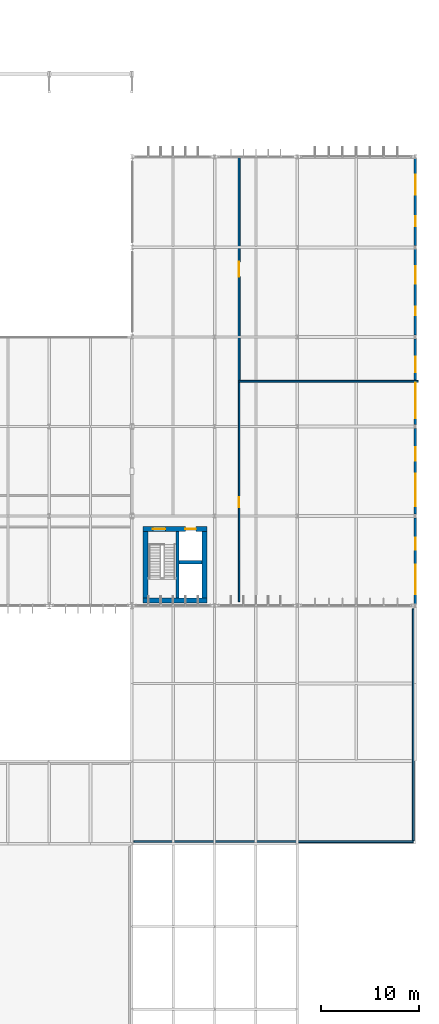
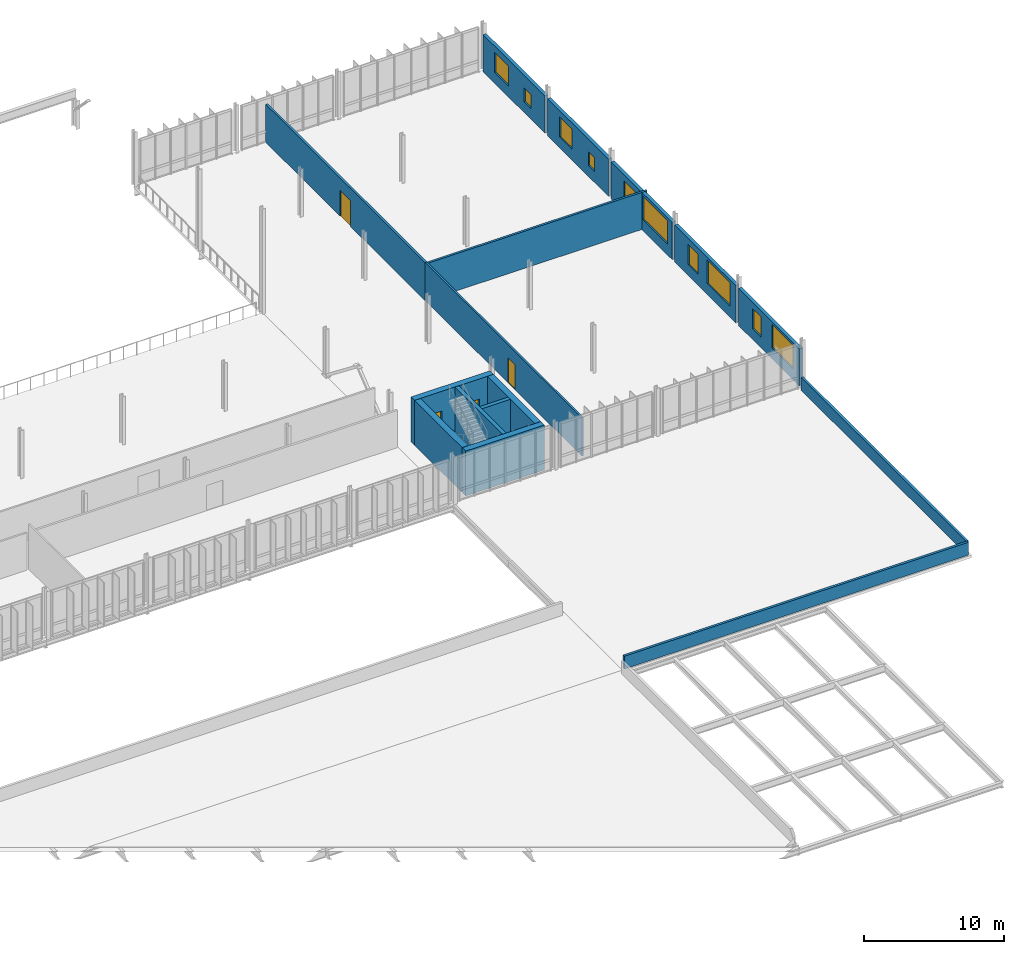
# One storey, part 92 of 107: 16 walls, 10 windows, 4 doors, 14 openings.
"""IFC4 building model written with IfcOpenShell, lengths in metres."""

import ifcopenshell
import ifcopenshell.guid

model = None  # the IFC model being written
_history = None  # IfcOwnerHistory: only IFC2X3 demands one
_inside = {}  # id of a spatial element -> (the spatial element, [elements in it])
_under = {}  # id of a project, library or spatial element -> (it, [spatial elements below it])
_declared = {}  # id of a project -> (the project, [libraries it declares])
_typed = {}  # id of a type object -> (the type object, [elements of that type])
_made_of = {}  # id of a material, layer set ... -> (it, [elements and type objects made of it])


def new_model(schema):
    """Start an empty IFC model of exactly this schema.

    Asked for "IFC4X3", IfcOpenShell would pick the latest addendum, in which some entities
    have other attributes; the version numbers below select the first issue.
    IFC2X3 requires an IfcOwnerHistory on every rooted entity: one is made here for all.
    """
    global model, _history
    if schema == "IFC4X3":
        model = ifcopenshell.file(schema_version=(4, 3, 0, 0))
    else:
        model = ifcopenshell.file(schema=schema)
    _inside.clear()
    _under.clear()
    _declared.clear()
    _typed.clear()
    _made_of.clear()
    _history = None
    if model.schema == "IFC2X3":
        org = make("IfcOrganization", Name="unknown")
        user = make(
            "IfcPersonAndOrganization",
            ThePerson=make("IfcPerson", FamilyName="unknown"),
            TheOrganization=org,
        )
        app = make(
            "IfcApplication",
            ApplicationDeveloper=org,
            Version="unknown",
            ApplicationFullName="unknown",
            ApplicationIdentifier="unknown",
        )
        _history = make(
            "IfcOwnerHistory",
            OwningUser=user,
            OwningApplication=app,
            ChangeAction="ADDED",
            CreationDate=0,
        )
    return model


def make(cls, **values):
    """One entity of the class cls with the attributes given. An attribute that is None is left unset."""
    return model.create_entity(
        cls, **{name: value for name, value in values.items() if value is not None}
    )


def rooted(cls, **values):
    """An entity with a GlobalId (a new one), such as an element, a storey or a relation."""
    return make(cls, GlobalId=ifcopenshell.guid.new(), OwnerHistory=_history, **values)


def si_unit(unit_type, name, prefix=None):
    """IfcSIUnit, for example si_unit("LENGTHUNIT", "METRE", prefix="MILLI")."""
    return make("IfcSIUnit", UnitType=unit_type, Prefix=prefix, Name=name)


def derived_unit(unit_type, elements):
    """IfcDerivedUnit: a product of units, each with its exponent."""
    return make(
        "IfcDerivedUnit",
        Elements=[
            make("IfcDerivedUnitElement", Unit=unit, Exponent=power)
            for unit, power in elements
        ],
        UnitType=unit_type,
    )


def assignment(units):
    """IfcUnitAssignment: the units of a project."""
    return None if units is None else make("IfcUnitAssignment", Units=units)


def point(xyz):
    """IfcCartesianPoint."""
    return None if xyz is None else make("IfcCartesianPoint", Coordinates=xyz)


def direction(xyz):
    """IfcDirection."""
    return None if xyz is None else make("IfcDirection", DirectionRatios=xyz)


def frame(location, z_axis=None, x_axis=None):
    """IfcAxis2Placement3D, a coordinate frame: its origin and axes. An axis left out is left unset."""
    return make(
        "IfcAxis2Placement3D",
        Location=point(location),
        Axis=direction(z_axis),
        RefDirection=direction(x_axis),
    )


def frame_2d(location, x_axis=None):
    """IfcAxis2Placement2D, a coordinate frame in the plane: its origin and x axis."""
    return make(
        "IfcAxis2Placement2D", Location=point(location), RefDirection=direction(x_axis)
    )


def origin():
    """The frame at (0, 0, 0) with its axes left unset."""
    return frame((0.0, 0.0, 0.0))


def place(relative_to, where):
    """IfcLocalPlacement: puts the frame where relative to a parent placement (None: the world)."""
    return make(
        "IfcLocalPlacement", PlacementRelTo=relative_to, RelativePlacement=where
    )


def context(
    kind, dimensions, precision=None, world=None, true_north=None, identifier=None
):
    """IfcGeometricRepresentationContext, for example the 3D "Model" context."""
    return make(
        "IfcGeometricRepresentationContext",
        ContextIdentifier=identifier,
        ContextType=kind,
        CoordinateSpaceDimension=dimensions,
        Precision=precision,
        WorldCoordinateSystem=world,
        TrueNorth=true_north,
    )


def subcontext(parent, identifier, kind, view, scale=None):
    """IfcGeometricRepresentationSubContext, for example "Body" below "Model"."""
    return make(
        "IfcGeometricRepresentationSubContext",
        ContextIdentifier=identifier,
        ContextType=kind,
        ParentContext=parent,
        TargetScale=scale,
        TargetView=view,
    )


def project(units=None, contexts=None):
    """IfcProject with its units and contexts."""
    return rooted(
        "IfcProject",
        Name="project",
        RepresentationContexts=contexts,
        UnitsInContext=assignment(units),
    )


def spatial(cls, under=None, at=None, **own):
    """A site, building, storey or space (cls), placed at a placement, below another one or the project."""
    s = rooted(cls, ObjectPlacement=at, **own)
    if under is not None:
        _under.setdefault(under.id(), (under, []))[1].append(s)
    return s


def profile(cls, at=None, kind="AREA", **sizes):
    """A parametric profile (cls). Its sizes go by their IFC names, for example OverallWidth=200.0."""
    return make(cls, ProfileType=kind, Position=at, **sizes)


def rectangle(**sizes):
    """IfcRectangleProfileDef."""
    return profile("IfcRectangleProfileDef", **sizes)


def extrude(swept, where, along, depth):
    """IfcExtrudedAreaSolid: the profile swept, set in the frame where, extruded along a direction by depth."""
    return make(
        "IfcExtrudedAreaSolid",
        SweptArea=swept,
        Position=where,
        ExtrudedDirection=direction(along),
        Depth=depth,
    )


def shape(context_of_items, identifier, shape_type, items):
    """IfcShapeRepresentation: the items that make up one representation, for example the "Body"."""
    return make(
        "IfcShapeRepresentation",
        ContextOfItems=context_of_items,
        RepresentationIdentifier=identifier,
        RepresentationType=shape_type,
        Items=items,
    )


def material(Name=None, Category=None):
    """IfcMaterial."""
    return make("IfcMaterial", Name=Name, Category=Category)


def layer(
    of_material, thickness, ventilated=None, Name=None, Category=None, Priority=None
):
    """IfcMaterialLayer: one layer of a wall or slab, of a material (None: an air gap)."""
    return make(
        "IfcMaterialLayer",
        Material=of_material,
        LayerThickness=thickness,
        IsVentilated=ventilated,
        Name=Name,
        Category=Category,
        Priority=Priority,
    )


def layer_set(layers, Name=None):
    """IfcMaterialLayerSet."""
    return make("IfcMaterialLayerSet", MaterialLayers=layers, LayerSetName=Name)


def made_of(thing, what):
    """Note that an element or type object is made of a material, layer set ...; save() writes the relation."""
    if what is not None:
        _made_of.setdefault(what.id(), (what, []))[1].append(thing)
    return thing


def type_object(cls, material=None, **own):
    """A type object (cls), such as IfcWallType, which elements share."""
    return made_of(rooted(cls, **own), material)


def element(
    cls,
    number,
    at=None,
    inside=None,
    cuts=None,
    type_object=None,
    material=None,
    context=None,
    identifier="Body",
    shape_type=None,
    held_by="IfcProductDefinitionShape",
    body=None,
    shapes=None,
    **own,
):
    """One element of the class cls, such as IfcWall. Its Tag is "e" and its number.

    at: its placement. inside: the storey or other place that contains it. cuts: it is an
    opening in that element (IfcRelVoidsElement). A single representation is given by context,
    identifier, shape_type and body (its items); several are given by shapes. held_by: the class
    of the entity that holds the representations. save() writes the other relations.
    """
    e = rooted(cls, Tag="e%d" % number, ObjectPlacement=at, **own)
    if body is not None:
        shapes = [shape(context, identifier, shape_type, body)]
    if shapes is not None:
        e.Representation = make(held_by, Representations=shapes)
    if inside is not None:
        _inside.setdefault(inside.id(), (inside, []))[1].append(e)
    if cuts is not None:
        rooted(
            "IfcRelVoidsElement", RelatingBuildingElement=cuts, RelatedOpeningElement=e
        )
    if type_object is not None:
        _typed.setdefault(type_object.id(), (type_object, []))[1].append(e)
    return made_of(e, material)


def fill(opening, filler):
    """IfcRelFillsElement: the door or window that sits in an opening."""
    return rooted(
        "IfcRelFillsElement",
        RelatingOpeningElement=opening,
        RelatedBuildingElement=filler,
    )


def aggregate(whole, parts):
    """IfcRelAggregates: a whole, such as a stair, and the parts it consists of."""
    return rooted("IfcRelAggregates", RelatingObject=whole, RelatedObjects=parts)


def save(model, path):
    """Write the relations noted so far, then the file.

    IfcRelAggregates (storeys below a building ...), IfcRelContainedInSpatialStructure (elements
    in a storey), IfcRelDefinesByType, IfcRelAssociatesMaterial and IfcRelDeclares: one each for
    every whole, place, type object, material and project.
    """
    for whole, parts in _under.values():
        aggregate(whole, parts)
    for where, things in _inside.values():
        rooted(
            "IfcRelContainedInSpatialStructure",
            RelatedElements=things,
            RelatingStructure=where,
        )
    for kind, things in _typed.values():
        rooted("IfcRelDefinesByType", RelatedObjects=things, RelatingType=kind)
    for what, things in _made_of.values():
        rooted("IfcRelAssociatesMaterial", RelatedObjects=things, RelatingMaterial=what)
    for by, libraries in _declared.values():
        rooted("IfcRelDeclares", RelatingContext=by, RelatedDefinitions=libraries)
    model.write(path)


model = new_model("IFC4")

# Units and contexts
model_context = context("Model", 3, precision=1e-05, world=origin(), true_north=direction((0.0, 1.0)))
body_context = subcontext(model_context, "Body", "Model", "MODEL_VIEW")
ifc_project = project(units=[si_unit("LENGTHUNIT", "METRE"), si_unit("AREAUNIT", "SQUARE_METRE"), si_unit("VOLUMEUNIT", "CUBIC_METRE"), si_unit("PLANEANGLEUNIT", "RADIAN"), si_unit("MASSUNIT", "GRAM", prefix="KILO"), derived_unit("THERMALTRANSMITTANCEUNIT", [(si_unit("MASSUNIT", "GRAM", prefix="KILO"), 1), (si_unit("TIMEUNIT", "SECOND"), -3), (si_unit("THERMODYNAMICTEMPERATUREUNIT", "KELVIN"), -1)])], contexts=[model_context])

# Site, building, storey
site_placement = place(None, origin())
site = spatial("IfcSite", under=ifc_project, at=site_placement, CompositionType="ELEMENT")
building_placement = place(site_placement, origin())
building = spatial("IfcBuilding", under=site, at=building_placement, Name="Makaiwela Harbour Ferry Terminal", CompositionType="ELEMENT")
storey_placement = place(building_placement, frame((0.0, 0.0, 9.60009765625)))
storey = spatial("IfcBuildingStorey", under=building, at=storey_placement, Name="L02", CompositionType="ELEMENT", Elevation=9.60009765625)

# Wall, openings, windows
ifc_material_1 = material(Name="Precast concrete f'c 40 MPa (6000 psi)", Category="concrete")
ifc_layer_1 = layer(ifc_material_1, 0.280029296875)
ifc_layer_set_1 = layer_set([ifc_layer_1], Name="Precast concrete f'c 40 MPa (6000 psi)")
wall_type_1 = type_object("IfcWallType", Name="ENV-WL-EXT280", PredefinedType="SOLIDWALL", material=ifc_layer_set_1)
wall_1_placement = place(storey_placement, frame((167.39990234375, 58.310546875, 0.0), z_axis=(0.0, 0.0, 1.0), x_axis=(0.0, -1.0, 0.0)))
wall_1 = element("IfcWall", 1, at=wall_1_placement, inside=storey, type_object=wall_type_1, Name="Exterior Wall EW-068", PredefinedType="SOLIDWALL", context=body_context, shape_type="SweptSolid", body=[
    extrude(rectangle(XDim=8.720947265625, YDim=0.280029296875, at=frame_2d((4.3603515625, 0.0))), origin(), (0.0, 0.0, 1.0), 3.241943359375),
])
opening_1_placement = place(wall_1_placement, frame((2.016357421875, 0.0, 0.949951171875)))
opening_1 = element("IfcOpeningElement", 2, at=opening_1_placement, cuts=wall_1, Name="Opening W-19", PredefinedType="OPENING", context=body_context, shape_type="SweptSolid", body=[
    extrude(rectangle(XDim=1.199951171875, YDim=1.75, at=frame_2d((0.60009765625, 0.875))), frame((0.0, 0.14990234375, 0.0), z_axis=(0.0, -1.0, 0.0), x_axis=(1.0, 0.0, 0.0)), (0.0, 0.0, 1.0), 0.300048828125),
])
opening_2_placement = place(wall_1_placement, frame((4.779052734375, 0.0, 0.949951171875)))
opening_2 = element("IfcOpeningElement", 3, at=opening_2_placement, cuts=wall_1, Name="Opening W-36", PredefinedType="OPENING", context=body_context, shape_type="SweptSolid", body=[
    extrude(rectangle(XDim=3.0, YDim=2.050048828125, at=frame_2d((1.5, 1.02490234375))), frame((0.0, 0.14990234375, 0.0), z_axis=(0.0, -1.0, 0.0), x_axis=(1.0, 0.0, 0.0)), (0.0, 0.0, 1.0), 0.300048828125),
])
ifc_material_2 = material(Name="Laminated hurricane-impact low-E insulated glazing", Category="glass")
window_type_1 = type_object("IfcWindowType", Name="ENV-WIN-19", PartitioningType="SINGLE_PANEL", PredefinedType="WINDOW", material=ifc_material_2)
window_1_placement = place(opening_1_placement, origin())
window_1 = element("IfcWindow", 4, at=window_1_placement, inside=storey, type_object=window_type_1, Name="Exterior Window W-19", OverallHeight=1.75, OverallWidth=1.199951171875, PartitioningType="SINGLE_PANEL", PredefinedType="WINDOW", context=body_context, shape_type="SweptSolid", body=[
    extrude(rectangle(XDim=1.199951171875, YDim=1.75, at=frame_2d((0.60009765625, 0.875))), frame((0.0, 0.030029296875, 0.0), z_axis=(0.0, -1.0, 0.0), x_axis=(1.0, 0.0, 0.0)), (0.0, 0.0, 1.0), 0.06005859375),
])
fill(opening_1, window_1)
window_type_2 = type_object("IfcWindowType", Name="ENV-WIN-36", PartitioningType="SINGLE_PANEL", PredefinedType="WINDOW", material=ifc_material_2)
window_2_placement = place(opening_2_placement, origin())
window_2 = element("IfcWindow", 5, at=window_2_placement, inside=storey, type_object=window_type_2, Name="Exterior Window W-36", OverallHeight=2.050048828125, OverallWidth=3.0, PartitioningType="SINGLE_PANEL", PredefinedType="WINDOW", context=body_context, shape_type="SweptSolid", body=[
    extrude(rectangle(XDim=3.0, YDim=2.050048828125, at=frame_2d((1.5, 1.02490234375))), frame((0.0, 0.030029296875, 0.0), z_axis=(0.0, -1.0, 0.0), x_axis=(1.0, 0.0, 0.0)), (0.0, 0.0, 1.0), 0.06005859375),
])
fill(opening_2, window_2)

wall_2_placement = place(storey_placement, frame((167.39990234375, 67.410400390625, 0.0), z_axis=(0.0, 0.0, 1.0), x_axis=(0.0, -1.0, 0.0)))
wall_2 = element("IfcWall", 6, at=wall_2_placement, inside=storey, type_object=wall_type_1, Name="Exterior Wall EW-070", PredefinedType="SOLIDWALL", context=body_context, shape_type="SweptSolid", body=[
    extrude(rectangle(XDim=8.720947265625, YDim=0.280029296875, at=frame_2d((4.3603515625, 0.0))), origin(), (0.0, 0.0, 1.0), 3.241943359375),
])
opening_3_placement = place(wall_2_placement, frame((1.916259765625, 0.0, 0.949951171875)))
opening_3 = element("IfcOpeningElement", 7, at=opening_3_placement, cuts=wall_2, Name="Opening W-20", PredefinedType="OPENING", context=body_context, shape_type="SweptSolid", body=[
    extrude(rectangle(XDim=1.39990234375, YDim=1.75, at=frame_2d((0.699951171875, 0.875))), frame((0.0, 0.14990234375, 0.0), z_axis=(0.0, -1.0, 0.0), x_axis=(1.0, 0.0, 0.0)), (0.0, 0.0, 1.0), 0.300048828125),
])
opening_4_placement = place(wall_2_placement, frame((4.629150390625, 0.0, 0.949951171875)))
opening_4 = element("IfcOpeningElement", 8, at=opening_4_placement, cuts=wall_2, Name="Opening W-37", PredefinedType="OPENING", context=body_context, shape_type="SweptSolid", body=[
    extrude(rectangle(XDim=3.300048828125, YDim=2.050048828125, at=frame_2d((1.64990234375, 1.02490234375))), frame((0.0, 0.14990234375, 0.0), z_axis=(0.0, -1.0, 0.0), x_axis=(1.0, 0.0, 0.0)), (0.0, 0.0, 1.0), 0.300048828125),
])
window_type_3 = type_object("IfcWindowType", Name="ENV-WIN-20", PartitioningType="SINGLE_PANEL", PredefinedType="WINDOW", material=ifc_material_2)
window_3_placement = place(opening_3_placement, origin())
window_3 = element("IfcWindow", 9, at=window_3_placement, inside=storey, type_object=window_type_3, Name="Exterior Window W-20", OverallHeight=1.75, OverallWidth=1.39990234375, PartitioningType="SINGLE_PANEL", PredefinedType="WINDOW", context=body_context, shape_type="SweptSolid", body=[
    extrude(rectangle(XDim=1.39990234375, YDim=1.75, at=frame_2d((0.699951171875, 0.875))), frame((0.0, 0.030029296875, 0.0), z_axis=(0.0, -1.0, 0.0), x_axis=(1.0, 0.0, 0.0)), (0.0, 0.0, 1.0), 0.06005859375),
])
fill(opening_3, window_3)
window_type_4 = type_object("IfcWindowType", Name="ENV-WIN-37", PartitioningType="SINGLE_PANEL", PredefinedType="WINDOW", material=ifc_material_2)
window_4_placement = place(opening_4_placement, origin())
window_4 = element("IfcWindow", 10, at=window_4_placement, inside=storey, type_object=window_type_4, Name="Exterior Window W-37", OverallHeight=2.050048828125, OverallWidth=3.300048828125, PartitioningType="SINGLE_PANEL", PredefinedType="WINDOW", context=body_context, shape_type="SweptSolid", body=[
    extrude(rectangle(XDim=3.300048828125, YDim=2.050048828125, at=frame_2d((1.64990234375, 1.02490234375))), frame((0.0, 0.030029296875, 0.0), z_axis=(0.0, -1.0, 0.0), x_axis=(1.0, 0.0, 0.0)), (0.0, 0.0, 1.0), 0.06005859375),
])
fill(opening_4, window_4)

wall_3_placement = place(storey_placement, frame((167.39990234375, 76.510498046875, 0.0), z_axis=(0.0, 0.0, 1.0), x_axis=(0.0, -1.0, 0.0)))
wall_3 = element("IfcWall", 11, at=wall_3_placement, inside=storey, type_object=wall_type_1, Name="Exterior Wall EW-072", PredefinedType="SOLIDWALL", context=body_context, shape_type="SweptSolid", body=[
    extrude(rectangle(XDim=8.720947265625, YDim=0.280029296875, at=frame_2d((4.3603515625, 0.0))), origin(), (0.0, 0.0, 1.0), 3.241943359375),
])
opening_5_placement = place(wall_3_placement, frame((1.81640625, 0.0, 0.949951171875)))
opening_5 = element("IfcOpeningElement", 12, at=opening_5_placement, cuts=wall_3, Name="Opening W-21", PredefinedType="OPENING", context=body_context, shape_type="SweptSolid", body=[
    extrude(rectangle(XDim=1.60009765625, YDim=1.75, at=frame_2d((0.800048828125, 0.875))), frame((0.0, 0.14990234375, 0.0), z_axis=(0.0, -1.0, 0.0), x_axis=(1.0, 0.0, 0.0)), (0.0, 0.0, 1.0), 0.300048828125),
])
opening_6_placement = place(wall_3_placement, frame((4.47900390625, 0.0, 0.949951171875)))
opening_6 = element("IfcOpeningElement", 13, at=opening_6_placement, cuts=wall_3, Name="Opening W-38", PredefinedType="OPENING", context=body_context, shape_type="SweptSolid", body=[
    extrude(rectangle(XDim=3.60009765625, YDim=2.050048828125, at=frame_2d((1.800048828125, 1.02490234375))), frame((0.0, 0.14990234375, 0.0), z_axis=(0.0, -1.0, 0.0), x_axis=(1.0, 0.0, 0.0)), (0.0, 0.0, 1.0), 0.300048828125),
])
window_type_5 = type_object("IfcWindowType", Name="ENV-WIN-21", PartitioningType="SINGLE_PANEL", PredefinedType="WINDOW", material=ifc_material_2)
window_5_placement = place(opening_5_placement, origin())
window_5 = element("IfcWindow", 14, at=window_5_placement, inside=storey, type_object=window_type_5, Name="Exterior Window W-21", OverallHeight=1.75, OverallWidth=1.60009765625, PartitioningType="SINGLE_PANEL", PredefinedType="WINDOW", context=body_context, shape_type="SweptSolid", body=[
    extrude(rectangle(XDim=1.60009765625, YDim=1.75, at=frame_2d((0.800048828125, 0.875))), frame((0.0, 0.030029296875, 0.0), z_axis=(0.0, -1.0, 0.0), x_axis=(1.0, 0.0, 0.0)), (0.0, 0.0, 1.0), 0.06005859375),
])
fill(opening_5, window_5)
window_type_6 = type_object("IfcWindowType", Name="ENV-WIN-38", PartitioningType="SINGLE_PANEL", PredefinedType="WINDOW", material=ifc_material_2)
window_6_placement = place(opening_6_placement, origin())
window_6 = element("IfcWindow", 15, at=window_6_placement, inside=storey, type_object=window_type_6, Name="Exterior Window W-38", OverallHeight=2.050048828125, OverallWidth=3.60009765625, PartitioningType="SINGLE_PANEL", PredefinedType="WINDOW", context=body_context, shape_type="SweptSolid", body=[
    extrude(rectangle(XDim=3.60009765625, YDim=2.050048828125, at=frame_2d((1.800048828125, 1.02490234375))), frame((0.0, 0.030029296875, 0.0), z_axis=(0.0, -1.0, 0.0), x_axis=(1.0, 0.0, 0.0)), (0.0, 0.0, 1.0), 0.06005859375),
])
fill(opening_6, window_6)

wall_4_placement = place(storey_placement, frame((167.39990234375, 85.610595703125, 0.0), z_axis=(0.0, 0.0, 1.0), x_axis=(0.0, -1.0, 0.0)))
wall_4 = element("IfcWall", 16, at=wall_4_placement, inside=storey, type_object=wall_type_1, Name="Exterior Wall EW-074", PredefinedType="SOLIDWALL", context=body_context, shape_type="SweptSolid", body=[
    extrude(rectangle(XDim=8.72119140625, YDim=0.280029296875, at=frame_2d((4.360595703125, 0.0))), origin(), (0.0, 0.0, 1.0), 3.241943359375),
])
opening_7_placement = place(wall_4_placement, frame((1.71630859375, 0.0, 0.949951171875)))
opening_7 = element("IfcOpeningElement", 17, at=opening_7_placement, cuts=wall_4, Name="Opening W-22", PredefinedType="OPENING", context=body_context, shape_type="SweptSolid", body=[
    extrude(rectangle(XDim=1.800048828125, YDim=1.75, at=frame_2d((0.89990234375, 0.875))), frame((0.0, 0.14990234375, 0.0), z_axis=(0.0, -1.0, 0.0), x_axis=(1.0, 0.0, 0.0)), (0.0, 0.0, 1.0), 0.300048828125),
])
opening_8_placement = place(wall_4_placement, frame((5.85400390625, 0.0, 0.949951171875)))
opening_8 = element("IfcOpeningElement", 18, at=opening_8_placement, cuts=wall_4, Name="Opening W-01", PredefinedType="OPENING", context=body_context, shape_type="SweptSolid", body=[
    extrude(rectangle(XDim=0.85009765625, YDim=1.199951171875, at=frame_2d((0.425048828125, 0.60009765625))), frame((0.0, 0.14990234375, 0.0), z_axis=(0.0, -1.0, 0.0), x_axis=(1.0, 0.0, 0.0)), (0.0, 0.0, 1.0), 0.300048828125),
])
window_type_7 = type_object("IfcWindowType", Name="ENV-WIN-01", PartitioningType="SINGLE_PANEL", PredefinedType="WINDOW", material=ifc_material_2)
window_7_placement = place(opening_8_placement, origin())
window_7 = element("IfcWindow", 19, at=window_7_placement, inside=storey, type_object=window_type_7, Name="Exterior Window W-01", OverallHeight=1.199951171875, OverallWidth=0.85009765625, PartitioningType="SINGLE_PANEL", PredefinedType="WINDOW", context=body_context, shape_type="SweptSolid", body=[
    extrude(rectangle(XDim=0.85009765625, YDim=1.199951171875, at=frame_2d((0.425048828125, 0.60009765625))), frame((0.0, 0.030029296875, 0.0), z_axis=(0.0, -1.0, 0.0), x_axis=(1.0, 0.0, 0.0)), (0.0, 0.0, 1.0), 0.06005859375),
])
fill(opening_8, window_7)
window_type_8 = type_object("IfcWindowType", Name="ENV-WIN-22", PartitioningType="SINGLE_PANEL", PredefinedType="WINDOW", material=ifc_material_2)
window_8_placement = place(opening_7_placement, origin())
window_8 = element("IfcWindow", 20, at=window_8_placement, inside=storey, type_object=window_type_8, Name="Exterior Window W-22", OverallHeight=1.75, OverallWidth=1.800048828125, PartitioningType="SINGLE_PANEL", PredefinedType="WINDOW", context=body_context, shape_type="SweptSolid", body=[
    extrude(rectangle(XDim=1.800048828125, YDim=1.75, at=frame_2d((0.89990234375, 0.875))), frame((0.0, 0.030029296875, 0.0), z_axis=(0.0, -1.0, 0.0), x_axis=(1.0, 0.0, 0.0)), (0.0, 0.0, 1.0), 0.06005859375),
])
fill(opening_7, window_8)

wall_5_placement = place(storey_placement, frame((167.39990234375, 94.810546875, 0.0), z_axis=(0.0, 0.0, 1.0), x_axis=(0.0, -1.0, 0.0)))
wall_5 = element("IfcWall", 21, at=wall_5_placement, inside=storey, type_object=wall_type_1, Name="Exterior Wall EW-076", PredefinedType="SOLIDWALL", context=body_context, shape_type="SweptSolid", body=[
    extrude(rectangle(XDim=8.821044921875, YDim=0.280029296875, at=frame_2d((4.41064453125, 0.0))), origin(), (0.0, 0.0, 1.0), 3.241943359375),
])
opening_9_placement = place(wall_5_placement, frame((1.646240234375, 0.0, 0.949951171875)))
opening_9 = element("IfcOpeningElement", 22, at=opening_9_placement, cuts=wall_5, Name="Opening W-23", PredefinedType="OPENING", context=body_context, shape_type="SweptSolid", body=[
    extrude(rectangle(XDim=2.0, YDim=1.75, at=frame_2d((1.0, 0.875))), frame((0.0, 0.14990234375, 0.0), z_axis=(0.0, -1.0, 0.0), x_axis=(1.0, 0.0, 0.0)), (0.0, 0.0, 1.0), 0.300048828125),
])
opening_10_placement = place(wall_5_placement, frame((5.85107421875, 0.0, 0.949951171875)))
opening_10 = element("IfcOpeningElement", 23, at=opening_10_placement, cuts=wall_5, Name="Opening W-02", PredefinedType="OPENING", context=body_context, shape_type="SweptSolid", body=[
    extrude(rectangle(XDim=1.0, YDim=1.199951171875, at=frame_2d((0.5, 0.60009765625))), frame((0.0, 0.14990234375, 0.0), z_axis=(0.0, -1.0, 0.0), x_axis=(1.0, 0.0, 0.0)), (0.0, 0.0, 1.0), 0.300048828125),
])
window_type_9 = type_object("IfcWindowType", Name="ENV-WIN-02", PartitioningType="SINGLE_PANEL", PredefinedType="WINDOW", material=ifc_material_2)
window_9_placement = place(opening_10_placement, origin())
window_9 = element("IfcWindow", 24, at=window_9_placement, inside=storey, type_object=window_type_9, Name="Exterior Window W-02", OverallHeight=1.199951171875, OverallWidth=1.0, PartitioningType="SINGLE_PANEL", PredefinedType="WINDOW", context=body_context, shape_type="SweptSolid", body=[
    extrude(rectangle(XDim=1.0, YDim=1.199951171875, at=frame_2d((0.5, 0.60009765625))), frame((0.0, 0.030029296875, 0.0), z_axis=(0.0, -1.0, 0.0), x_axis=(1.0, 0.0, 0.0)), (0.0, 0.0, 1.0), 0.06005859375),
])
fill(opening_10, window_9)
window_type_10 = type_object("IfcWindowType", Name="ENV-WIN-23", PartitioningType="SINGLE_PANEL", PredefinedType="WINDOW", material=ifc_material_2)
window_10_placement = place(opening_9_placement, origin())
window_10 = element("IfcWindow", 25, at=window_10_placement, inside=storey, type_object=window_type_10, Name="Exterior Window W-23", OverallHeight=1.75, OverallWidth=2.0, PartitioningType="SINGLE_PANEL", PredefinedType="WINDOW", context=body_context, shape_type="SweptSolid", body=[
    extrude(rectangle(XDim=2.0, YDim=1.75, at=frame_2d((1.0, 0.875))), frame((0.0, 0.030029296875, 0.0), z_axis=(0.0, -1.0, 0.0), x_axis=(1.0, 0.0, 0.0)), (0.0, 0.0, 1.0), 0.06005859375),
])
fill(opening_9, window_10)

# Walls
ifc_layer_2 = layer(ifc_material_1, 0.199951171875)
ifc_layer_set_2 = layer_set([ifc_layer_2], Name="Precast concrete f'c 40 MPa (6000 psi)")
wall_type_2 = type_object("IfcWallType", Name="ENV-WL-PAR200", PredefinedType="PARAPET", material=ifc_layer_set_2)
wall_6_placement = place(storey_placement, frame((138.800048828125, 25.39990234375, 0.0), z_axis=(0.0, 0.0, 1.0), x_axis=(1.0, 0.0, 0.0)))
element("IfcWall", 26, at=wall_6_placement, inside=storey, type_object=wall_type_2, Name="Roof Parapet Wall PW-010", PredefinedType="PARAPET", context=body_context, shape_type="SweptSolid", body=[
    extrude(rectangle(XDim=28.39990234375, YDim=0.199951171875, at=frame_2d((14.199951171875, 0.0))), origin(), (0.0, 0.0, 1.0), 1.119873046875),
])
wall_7_placement = place(storey_placement, frame((167.199951171875, 25.510009765625, 0.0), z_axis=(0.0, 0.0, 1.0), x_axis=(0.0, 1.0, 0.0)))
element("IfcWall", 27, at=wall_7_placement, inside=storey, type_object=wall_type_2, Name="Roof Parapet Wall PW-011", PredefinedType="PARAPET", context=body_context, shape_type="SweptSolid", body=[
    extrude(rectangle(XDim=23.580078125, YDim=0.199951171875, at=frame_2d((11.7900390625, 0.0))), origin(), (0.0, 0.0, 1.0), 1.119873046875),
])

# Wall, opening, door
ifc_material_3 = material(Name="Fire-rated gypsum board on steel studs", Category="steel")
ifc_layer_3 = layer(ifc_material_3, 0.179931640625)
ifc_layer_set_3 = layer_set([ifc_layer_3], Name="Fire-rated gypsum board on steel studs")
wall_type_3 = type_object("IfcWallType", Name="INT-WL-FIR180", PredefinedType="PARTITIONING", material=ifc_layer_set_3)
wall_8_placement = place(storey_placement, frame((149.5, 72.199951171875, 0.0), z_axis=(0.0, 0.0, 1.0), x_axis=(0.0, 1.0, 0.0)))
wall_8 = element("IfcWall", 28, at=wall_8_placement, inside=storey, type_object=wall_type_3, Name="Interior Wall IW-0557", PredefinedType="PARTITIONING", context=body_context, shape_type="SweptSolid", body=[
    extrude(rectangle(XDim=22.760009765625, YDim=0.179931640625, at=frame_2d((11.3798828125, 0.0))), origin(), (0.0, 0.0, 1.0), 3.322998046875),
])
opening_11_placement = place(wall_8_placement, frame((10.6298828125, 0.0, 0.0)))
opening_11 = element("IfcOpeningElement", 29, at=opening_11_placement, cuts=wall_8, Name="Opening D-06", PredefinedType="OPENING", context=body_context, shape_type="SweptSolid", body=[
    extrude(rectangle(XDim=1.5, YDim=2.25, at=frame_2d((0.75, 1.125))), frame((0.0, 0.099853515625, 0.0), z_axis=(0.0, -1.0, 0.0), x_axis=(1.0, 0.0, 0.0)), (0.0, 0.0, 1.0), 0.199951171875),
])
ifc_material_4 = material(Name="Insulated galvanised fire-rated steel leaf and frame", Category="steel")
door_type_1 = type_object("IfcDoorType", Name="INT-DR-PLT150", OperationType="NOTDEFINED", PredefinedType="DOOR", material=ifc_material_4)
door_1_placement = place(opening_11_placement, frame((1.5, 0.0, 0.0), z_axis=(0.0, 0.0, 1.0), x_axis=(-1.0, 0.0, 0.0)))
door_1 = element("IfcDoor", 30, at=door_1_placement, inside=storey, type_object=door_type_1, Name="Door D-06", OperationType="SINGLE_SWING_RIGHT", OverallHeight=2.25, OverallWidth=1.5, PredefinedType="DOOR", context=body_context, shape_type="SweptSolid", body=[
    extrude(rectangle(XDim=1.5, YDim=2.25, at=frame_2d((0.75, 1.125))), frame((0.0, 0.02490234375, 0.0), z_axis=(0.0, -1.0, 0.0), x_axis=(1.0, 0.0, 0.0)), (0.0, 0.0, 1.0), 0.050048828125),
])
fill(opening_11, door_1)

# Wall
wall_9_placement = place(storey_placement, frame((149.5, 72.199951171875, 0.0), z_axis=(0.0, 0.0, 1.0), x_axis=(1.0, 0.0, 0.0)))
element("IfcWall", 31, at=wall_9_placement, inside=storey, type_object=wall_type_3, Name="Interior Wall IW-0558", PredefinedType="PARTITIONING", context=body_context, shape_type="SweptSolid", body=[
    extrude(rectangle(XDim=18.199951171875, YDim=0.179931640625, at=frame_2d((9.10009765625, 0.0))), origin(), (0.0, 0.0, 1.0), 3.241943359375),
])

# Wall, opening, door
ifc_material_5 = material(Name="Moisture-resistant acoustic gypsum partition", Category="gypsum")
ifc_layer_4 = layer(ifc_material_5, 0.14990234375)
ifc_layer_set_4 = layer_set([ifc_layer_4], Name="Moisture-resistant acoustic gypsum partition")
wall_type_4 = type_object("IfcWallType", Name="INT-WL-PRT150", PredefinedType="PARTITIONING", material=ifc_layer_set_4)
wall_10_placement = place(storey_placement, frame((149.5, 49.800048828125, 0.0), z_axis=(0.0, 0.0, 1.0), x_axis=(0.0, 1.0, 0.0)))
wall_10 = element("IfcWall", 32, at=wall_10_placement, inside=storey, type_object=wall_type_4, Name="Interior Wall IW-0556", PredefinedType="PARTITIONING", context=body_context, shape_type="SweptSolid", body=[
    extrude(rectangle(XDim=22.39990234375, YDim=0.14990234375, at=frame_2d((11.199951171875, 0.0))), origin(), (0.0, 0.0, 1.0), 3.322998046875),
])
opening_12_placement = place(wall_10_placement, frame((9.570068359375, 0.0, 0.0)))
opening_12 = element("IfcOpeningElement", 33, at=opening_12_placement, cuts=wall_10, Name="Opening D-13", PredefinedType="OPENING", context=body_context, shape_type="SweptSolid", body=[
    extrude(rectangle(XDim=1.02001953125, YDim=2.199951171875, at=frame_2d((0.510009765625, 1.10009765625))), frame((0.0, 0.0849609375, 0.0), z_axis=(0.0, -1.0, 0.0), x_axis=(1.0, 0.0, 0.0)), (0.0, 0.0, 1.0), 0.169921875),
])
ifc_material_6 = material(Name="Solid-core marine hardwood and painted steel frame", Category="steel")
door_type_2 = type_object("IfcDoorType", Name="INT-DR-OFF102", OperationType="NOTDEFINED", PredefinedType="DOOR", material=ifc_material_6)
door_2_placement = place(opening_12_placement, frame((1.02001953125, 0.0, 0.0), z_axis=(0.0, 0.0, 1.0), x_axis=(-1.0, 0.0, 0.0)))
door_2 = element("IfcDoor", 34, at=door_2_placement, inside=storey, type_object=door_type_2, Name="Door D-13", OperationType="SINGLE_SWING_LEFT", OverallHeight=2.199951171875, OverallWidth=1.02001953125, PredefinedType="DOOR", context=body_context, shape_type="SweptSolid", body=[
    extrude(rectangle(XDim=1.02001953125, YDim=2.199951171875, at=frame_2d((0.510009765625, 1.10009765625))), frame((0.0, 0.02490234375, 0.0), z_axis=(0.0, -1.0, 0.0), x_axis=(1.0, 0.0, 0.0)), (0.0, 0.0, 1.0), 0.050048828125),
])
fill(opening_12, door_2)

# Walls
ifc_material_7 = material(Name="Concrete f'c 45 MPa (6500 psi)", Category="concrete")
ifc_layer_5 = layer(ifc_material_7, 0.320068359375)
ifc_layer_set_5 = layer_set([ifc_layer_5], Name="Concrete f'c 45 MPa (6500 psi)")
wall_type_5 = type_object("IfcWallType", Name="INT-WL-SHR320", PredefinedType="SHEAR", material=ifc_layer_set_5)
wall_11_placement = place(storey_placement, frame((143.239990234375, 50.159912109375, 0.0), z_axis=(0.0, 0.0, 1.0), x_axis=(0.0, 1.0, 0.0)))
element("IfcWall", 35, at=wall_11_placement, inside=storey, type_object=wall_type_5, Name="Interior Wall IW-0206", PredefinedType="SHEAR", context=body_context, shape_type="SweptSolid", body=[
    extrude(rectangle(XDim=6.780029296875, YDim=0.320068359375, at=frame_2d((3.39013671875, 0.0))), origin(), (0.0, 0.0, 1.0), 3.919921875),
])
wall_12_placement = place(storey_placement, frame((143.405029296875, 53.800048828125, 0.0), z_axis=(0.0, 0.0, 1.0), x_axis=(1.0, 0.0, 0.0)))
element("IfcWall", 36, at=wall_12_placement, inside=storey, type_object=wall_type_5, Name="Interior Wall IW-0207", PredefinedType="SHEAR", context=body_context, shape_type="SweptSolid", body=[
    extrude(rectangle(XDim=2.340087890625, YDim=0.320068359375, at=frame_2d((1.169921875, 0.0))), origin(), (0.0, 0.0, 1.0), 3.919921875),
])
ifc_layer_6 = layer(ifc_material_7, 0.5)
ifc_layer_set_6 = layer_set([ifc_layer_6], Name="Concrete f'c 45 MPa (6500 psi)")
wall_type_6 = type_object("IfcWallType", Name="INT-WL-SHR500", PredefinedType="SHEAR", material=ifc_layer_set_6)
wall_13_placement = place(storey_placement, frame((139.75, 49.89990234375, 0.0), z_axis=(0.0, 0.0, 1.0), x_axis=(1.0, 0.0, 0.0)))
element("IfcWall", 37, at=wall_13_placement, inside=storey, type_object=wall_type_6, Name="Interior Wall IW-0202", PredefinedType="SHEAR", context=body_context, shape_type="SweptSolid", body=[
    extrude(rectangle(XDim=6.5, YDim=0.5, at=frame_2d((3.25, 0.0))), origin(), (0.0, 0.0, 1.0), 3.919921875),
])

# Wall, openings, doors
wall_14_placement = place(storey_placement, frame((139.75, 57.199951171875, 0.0), z_axis=(0.0, 0.0, 1.0), x_axis=(1.0, 0.0, 0.0)))
wall_14 = element("IfcWall", 38, at=wall_14_placement, inside=storey, type_object=wall_type_6, Name="Interior Wall IW-0203", PredefinedType="SHEAR", context=body_context, shape_type="SweptSolid", body=[
    extrude(rectangle(XDim=6.5, YDim=0.5, at=frame_2d((3.25, 0.0))), origin(), (0.0, 0.0, 1.0), 3.919921875),
])
opening_13_placement = place(wall_14_placement, frame((1.0, 0.0, 0.0)))
opening_13 = element("IfcOpeningElement", 39, at=opening_13_placement, cuts=wall_14, Name="Opening D-02", PredefinedType="OPENING", context=body_context, shape_type="SweptSolid", body=[
    extrude(rectangle(XDim=1.25, YDim=2.199951171875, at=frame_2d((0.625, 1.10009765625))), frame((0.0, 0.260009765625, 0.0), z_axis=(0.0, -1.0, 0.0), x_axis=(1.0, 0.0, 0.0)), (0.0, 0.0, 1.0), 0.52001953125),
])
opening_14_placement = place(wall_14_placement, frame((4.2998046875, 0.0, 0.0)))
opening_14 = element("IfcOpeningElement", 40, at=opening_14_placement, cuts=wall_14, Name="Opening LD-01", PredefinedType="OPENING", context=body_context, shape_type="SweptSolid", body=[
    extrude(rectangle(XDim=1.050048828125, YDim=2.14990234375, at=frame_2d((0.52490234375, 1.074951171875))), frame((0.0, 0.260009765625, 0.0), z_axis=(0.0, -1.0, 0.0), x_axis=(1.0, 0.0, 0.0)), (0.0, 0.0, 1.0), 0.52001953125),
])
ifc_material_8 = material(Name="Marine grade 316L brushed stainless steel", Category="steel")
door_type_3 = type_object("IfcDoorType", Name="INT-DR-LD105", OperationType="NOTDEFINED", PredefinedType="DOOR", material=ifc_material_8)
door_3_placement = place(opening_14_placement, origin())
door_3 = element("IfcDoor", 41, at=door_3_placement, inside=storey, type_object=door_type_3, Name="Door LD-01", OperationType="DOUBLE_DOOR_SLIDING", OverallHeight=2.14990234375, OverallWidth=1.050048828125, PredefinedType="DOOR", context=body_context, shape_type="SweptSolid", body=[
    extrude(rectangle(XDim=1.050048828125, YDim=2.14990234375, at=frame_2d((0.52490234375, 1.074951171875))), frame((0.0, 0.02490234375, 0.0), z_axis=(0.0, -1.0, 0.0), x_axis=(1.0, 0.0, 0.0)), (0.0, 0.0, 1.0), 0.050048828125),
])
fill(opening_14, door_3)
door_type_4 = type_object("IfcDoorType", Name="INT-DR-ST125", OperationType="NOTDEFINED", PredefinedType="DOOR", material=ifc_material_4)
door_4_placement = place(opening_13_placement, origin())
door_4 = element("IfcDoor", 42, at=door_4_placement, inside=storey, type_object=door_type_4, Name="Door D-02", OperationType="SINGLE_SWING_RIGHT", OverallHeight=2.199951171875, OverallWidth=1.25, PredefinedType="DOOR", context=body_context, shape_type="SweptSolid", body=[
    extrude(rectangle(XDim=1.25, YDim=2.199951171875, at=frame_2d((0.625, 1.10009765625))), frame((0.0, 0.02490234375, 0.0), z_axis=(0.0, -1.0, 0.0), x_axis=(1.0, 0.0, 0.0)), (0.0, 0.0, 1.0), 0.050048828125),
])
fill(opening_13, door_4)

# Walls
for number, where, z_axis, x_axis, name in (
    (43, (140.0, 50.159912109375, 0.0), (0.0, 0.0, 1.0), (0.0, 1.0, 0.0), "Interior Wall IW-0204"),
    (44, (146.0, 50.159912109375, 0.0), (0.0, 0.0, 1.0), (0.0, 1.0, 0.0), "Interior Wall IW-0205"),
):
    element("IfcWall", number, at=place(storey_placement, frame(where, z_axis=z_axis, x_axis=x_axis)), inside=storey, type_object=wall_type_6, Name=name, PredefinedType="SHEAR", context=body_context, shape_type="SweptSolid", body=[
        extrude(rectangle(XDim=6.780029296875, YDim=0.5, at=frame_2d((3.39013671875, 0.0))), origin(), (0.0, 0.0, 1.0), 3.919921875),
    ])

save(model, "model.ifc")
